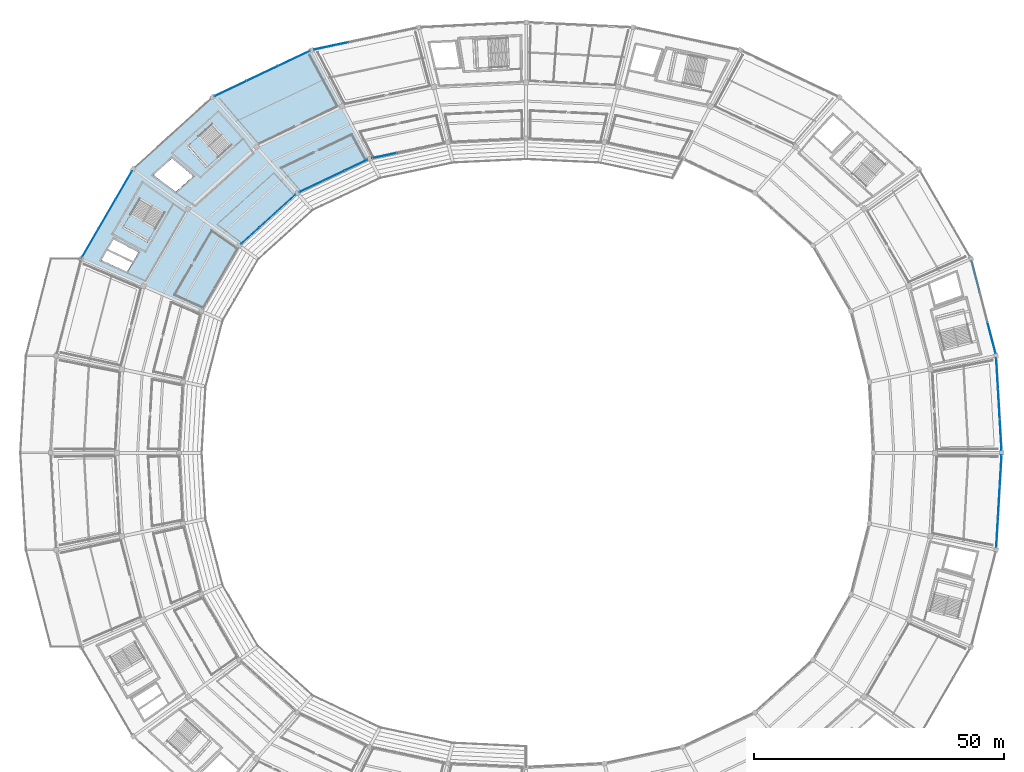
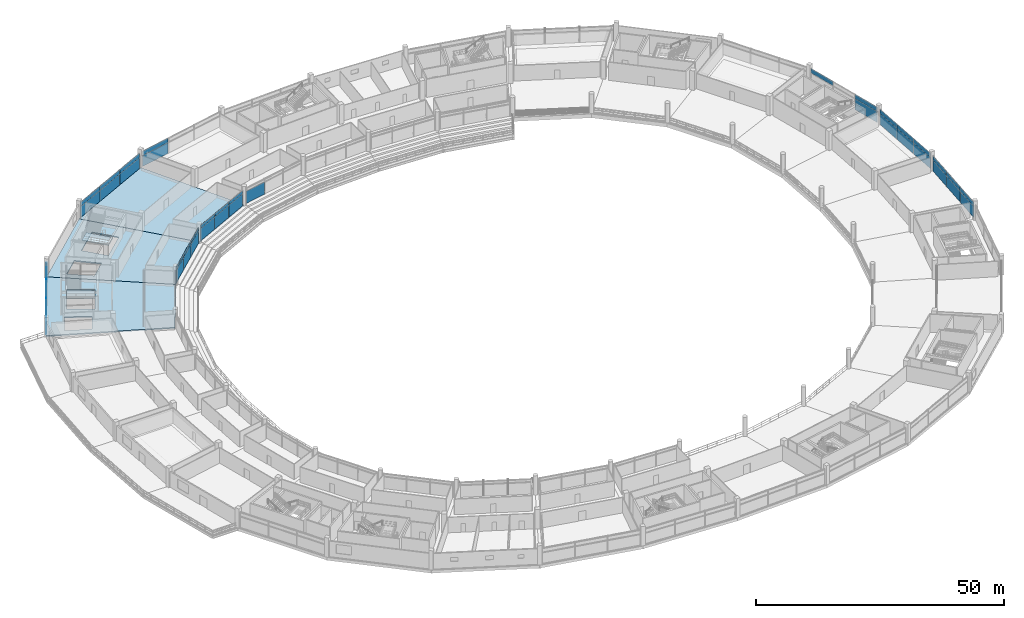
# One storey, part 125 of 171: 42 plates, 5 slabs, 11 elements without a shape of their own.
"""IFC4 building model written with IfcOpenShell, lengths in metres."""

from ifc_helpers import new_model, si_unit, direction, frame, origin, origin_2d, place, context, subcontext, project, spatial, polyline, rectangle, outline, extrude, material, layer, layer_set, type_object, element, aggregate, save


model = new_model("IFC4")

# Units and contexts
model_context = context("Model", 3, precision=1e-05, world=origin(), true_north=direction((0.0, 1.0)))
body_context = subcontext(model_context, "Body", "Model", "MODEL_VIEW")
ifc_project = project(units=[si_unit("LENGTHUNIT", "METRE"), si_unit("AREAUNIT", "SQUARE_METRE"), si_unit("VOLUMEUNIT", "CUBIC_METRE"), si_unit("PLANEANGLEUNIT", "RADIAN"), si_unit("MASSUNIT", "GRAM", prefix="KILO")], contexts=[model_context])

# Site, building, storey
site_placement = place(None, origin())
site = spatial("IfcSite", under=ifc_project, at=site_placement, CompositionType="ELEMENT")
building_placement = place(site_placement, origin())
building = spatial("IfcBuilding", under=site, at=building_placement, Name="Kazemori Nagisa Stadium", CompositionType="ELEMENT")
storey_placement = place(building_placement, frame((0.0, 0.0, 15.639892578125)))
storey = spatial("IfcBuildingStorey", under=building, at=storey_placement, Name="L03", CompositionType="ELEMENT", Elevation=15.639892578125)

# Curtain wall, plates
ifc_material_1 = material(Name="Anodised aluminium 6063-T5", Category="aluminium")
ifc_layer_1 = layer(ifc_material_1, 0.2099609375, Name="Anodised aluminium 6063-T5", Category="aluminium")
ifc_layer_set_1 = layer_set([ifc_layer_1], Name="Anodised aluminium 6063-T5")
curtain_wall_type_1 = type_object("IfcCurtainWallType", Name="CW_L03B_73", PredefinedType="USERDEFINED", material=ifc_layer_set_1)
curtain_wall_1_placement = place(storey_placement, origin())
curtain_wall_1 = element("IfcCurtainWall", 1, at=curtain_wall_1_placement, inside=storey, type_object=curtain_wall_type_1, Name="Unitised curtain wall CW-L03B-73 L03", ObjectType="UNITISED CURTAIN WALL", PredefinedType="USERDEFINED")
ifc_material_2 = material(Name="Anodised aluminium spandrel sheet", Category="aluminium")
ifc_layer_2 = layer(ifc_material_2, 0.047119140625, Name="Anodised aluminium spandrel sheet", Category="aluminium")
ifc_layer_set_2 = layer_set([ifc_layer_2], Name="Anodised aluminium spandrel sheet")
plate_type_1 = type_object("IfcPlateType", Name="CWPanel_SPN_L03B_73", PredefinedType="CURTAIN_PANEL", material=ifc_layer_set_2)
plate_1_placement = place(storey_placement, frame((75.10498046875, 151.8828125, 3.01025390625), z_axis=(0.0, 0.0, 1.0), x_axis=(-0.741350875443, -0.671117634607, 0.0)))
plate_1 = element("IfcPlate", 2, at=plate_1_placement, type_object=plate_type_1, Name="Curtain wall spandrel panel CW-L03B-73-S1", PredefinedType="CURTAIN_PANEL", context=body_context, shape_type="SweptSolid", body=[
    extrude(rectangle(XDim=4.83740234375, YDim=0.047119140625, at=origin_2d()), origin(), (0.0, 0.0, 1.0), 0.800048828125),
])
plate_2_placement = place(storey_placement, frame((71.5009765625, 148.6201171875, 3.01025390625), z_axis=(0.0, 0.0, 1.0), x_axis=(-0.741350875443, -0.671117634607, 0.0)))
plate_2 = element("IfcPlate", 3, at=plate_2_placement, type_object=plate_type_1, Name="Curtain wall spandrel panel CW-L03B-73-S2", PredefinedType="CURTAIN_PANEL", context=body_context, shape_type="SweptSolid", body=[
    extrude(rectangle(XDim=4.83740234375, YDim=0.047119140625, at=origin_2d()), origin(), (0.0, 0.0, 1.0), 0.800048828125),
])
plate_3_placement = place(storey_placement, frame((67.89697265625, 145.357666015625, 3.01025390625), z_axis=(0.0, 0.0, 1.0), x_axis=(-0.741350875443, -0.671117634607, 0.0)))
plate_3 = element("IfcPlate", 4, at=plate_3_placement, type_object=plate_type_1, Name="Curtain wall spandrel panel CW-L03B-73-S3", PredefinedType="CURTAIN_PANEL", context=body_context, shape_type="SweptSolid", body=[
    extrude(rectangle(XDim=4.83740234375, YDim=0.047119140625, at=origin_2d()), origin(), (0.0, 0.0, 1.0), 0.800048828125),
])

ifc_layer_3 = layer(ifc_material_1, 0.2099609375, Name="Anodised aluminium 6063-T5", Category="aluminium")
ifc_layer_set_3 = layer_set([ifc_layer_3], Name="Anodised aluminium 6063-T5")
curtain_wall_type_2 = type_object("IfcCurtainWallType", Name="CW_L03B_75", PredefinedType="USERDEFINED", material=ifc_layer_set_3)
curtain_wall_2_placement = place(storey_placement, origin())
curtain_wall_2 = element("IfcCurtainWall", 5, at=curtain_wall_2_placement, inside=storey, type_object=curtain_wall_type_2, Name="Unitised curtain wall CW-L03B-75 L03", ObjectType="UNITISED CURTAIN WALL", PredefinedType="USERDEFINED")
ifc_layer_4 = layer(ifc_material_2, 0.047119140625, Name="Anodised aluminium spandrel sheet", Category="aluminium")
ifc_layer_set_4 = layer_set([ifc_layer_4], Name="Anodised aluminium spandrel sheet")
plate_type_2 = type_object("IfcPlateType", Name="CWPanel_SPN_L03B_75", PredefinedType="CURTAIN_PANEL", material=ifc_layer_set_4)
plate_4_placement = place(storey_placement, frame((89.022216796875, 159.44140625, 3.01025390625), z_axis=(0.0, 0.0, 1.0), x_axis=(-0.903215892654, -0.429186499388, 0.0)))
plate_4 = element("IfcPlate", 6, at=plate_4_placement, type_object=plate_type_2, Name="Curtain wall spandrel panel CW-L03B-75-S1", PredefinedType="CURTAIN_PANEL", context=body_context, shape_type="SweptSolid", body=[
    extrude(rectangle(XDim=4.95166015625, YDim=0.047119140625, at=origin_2d()), origin(), (0.0, 0.0, 1.0), 0.800048828125),
])
plate_5_placement = place(storey_placement, frame((84.528076171875, 157.305908203125, 3.01025390625), z_axis=(0.0, 0.0, 1.0), x_axis=(-0.903215892654, -0.429186499388, 0.0)))
plate_5 = element("IfcPlate", 7, at=plate_5_placement, type_object=plate_type_2, Name="Curtain wall spandrel panel CW-L03B-75-S2", PredefinedType="CURTAIN_PANEL", context=body_context, shape_type="SweptSolid", body=[
    extrude(rectangle(XDim=4.95166015625, YDim=0.047119140625, at=origin_2d()), origin(), (0.0, 0.0, 1.0), 0.800048828125),
])
plate_6_placement = place(storey_placement, frame((80.03369140625, 155.17041015625, 3.01025390625), z_axis=(0.0, 0.0, 1.0), x_axis=(-0.903215892654, -0.429186499388, 0.0)))
plate_6 = element("IfcPlate", 8, at=plate_6_placement, type_object=plate_type_2, Name="Curtain wall spandrel panel CW-L03B-75-S3", PredefinedType="CURTAIN_PANEL", context=body_context, shape_type="SweptSolid", body=[
    extrude(rectangle(XDim=4.95166015625, YDim=0.047119140625, at=origin_2d()), origin(), (0.0, 0.0, 1.0), 0.800048828125),
])

# Curtain wall, plate
ifc_layer_5 = layer(ifc_material_1, 0.2099609375, Name="Anodised aluminium 6063-T5", Category="aluminium")
ifc_layer_set_5 = layer_set([ifc_layer_5], Name="Anodised aluminium 6063-T5")
curtain_wall_type_3 = type_object("IfcCurtainWallType", Name="CW_L03R3_105", PredefinedType="USERDEFINED", material=ifc_layer_set_5)
curtain_wall_3_placement = place(storey_placement, origin())
curtain_wall_3 = element("IfcCurtainWall", 9, at=curtain_wall_3_placement, inside=storey, type_object=curtain_wall_type_3, Name="Unitised curtain wall CW-L03R3-105 L03", ObjectType="UNITISED CURTAIN WALL", PredefinedType="USERDEFINED")
ifc_layer_6 = layer(ifc_material_2, 0.050048828125, Name="Anodised aluminium spandrel sheet", Category="aluminium")
ifc_layer_set_6 = layer_set([ifc_layer_6], Name="Anodised aluminium spandrel sheet")
plate_type_3 = type_object("IfcPlateType", Name="CWPanel_SPN_L03R3_105", PredefinedType="CURTAIN_PANEL", material=ifc_layer_set_6)
plate_7_placement = place(storey_placement, frame((84.06787109375, 183.283447265625, 2.705078125), z_axis=(0.0, 0.0, 1.0), x_axis=(-0.978344955407, -0.206981033502, 0.0)))
plate_7 = element("IfcPlate", 10, at=plate_7_placement, type_object=plate_type_3, Name="Curtain wall spandrel panel CW-L03R3-105-S3", PredefinedType="CURTAIN_PANEL", context=body_context, shape_type="SweptSolid", body=[
    extrude(rectangle(XDim=6.942626953125, YDim=0.050048828125, at=origin_2d()), origin(), (0.0, 0.0, 1.0), 1.10498046875),
])

# Curtain wall, plates
curtain_wall_4_placement = place(storey_placement, origin())
curtain_wall_4 = element("IfcCurtainWall", 11, at=curtain_wall_4_placement, inside=storey, type_object=curtain_wall_type_3, Name="Unitised curtain wall CW-L03R3-105 L03", ObjectType="UNITISED CURTAIN WALL", PredefinedType="USERDEFINED")
plate_8_placement = place(storey_placement, frame((76.6103515625, 180.7607421875, 2.705078125), z_axis=(0.0, 0.0, 1.0), x_axis=(-0.903215892654, -0.429186499388, 0.0)))
plate_8 = element("IfcPlate", 12, at=plate_8_placement, type_object=plate_type_3, Name="Curtain wall spandrel panel CW-L03R3-105-S1", PredefinedType="CURTAIN_PANEL", context=body_context, shape_type="SweptSolid", body=[
    extrude(rectangle(XDim=6.964111328125, YDim=0.050048828125, at=origin_2d()), origin(), (0.0, 0.0, 1.0), 1.10498046875),
])
plate_9_placement = place(storey_placement, frame((70.298583984375, 177.76171875, 2.705078125), z_axis=(0.0, 0.0, 1.0), x_axis=(-0.903215892654, -0.429186499388, 0.0)))
plate_9 = element("IfcPlate", 13, at=plate_9_placement, type_object=plate_type_3, Name="Curtain wall spandrel panel CW-L03R3-105-S2", PredefinedType="CURTAIN_PANEL", context=body_context, shape_type="SweptSolid", body=[
    extrude(rectangle(XDim=6.964111328125, YDim=0.050048828125, at=origin_2d()), origin(), (0.0, 0.0, 1.0), 1.10498046875),
])
plate_10_placement = place(storey_placement, frame((63.98681640625, 174.762451171875, 2.705078125), z_axis=(0.0, 0.0, 1.0), x_axis=(-0.903215892654, -0.429186499388, 0.0)))
plate_10 = element("IfcPlate", 14, at=plate_10_placement, type_object=plate_type_3, Name="Curtain wall spandrel panel CW-L03R3-105-S3", PredefinedType="CURTAIN_PANEL", context=body_context, shape_type="SweptSolid", body=[
    extrude(rectangle(XDim=6.964111328125, YDim=0.050048828125, at=origin_2d()), origin(), (0.0, 0.0, 1.0), 1.10498046875),
])

ifc_layer_7 = layer(ifc_material_1, 0.2099609375, Name="Anodised aluminium 6063-T5", Category="aluminium")
ifc_layer_set_7 = layer_set([ifc_layer_7], Name="Anodised aluminium 6063-T5")
curtain_wall_type_4 = type_object("IfcCurtainWallType", Name="CW_L03R3_93", PredefinedType="USERDEFINED", material=ifc_layer_set_7)
curtain_wall_5_placement = place(storey_placement, origin())
curtain_wall_5 = element("IfcCurtainWall", 15, at=curtain_wall_5_placement, inside=storey, type_object=curtain_wall_type_4, Name="Unitised curtain wall CW-L03R3-93 L03", ObjectType="UNITISED CURTAIN WALL", PredefinedType="USERDEFINED")
ifc_layer_8 = layer(ifc_material_2, 0.050048828125, Name="Anodised aluminium spandrel sheet", Category="aluminium")
ifc_layer_set_8 = layer_set([ifc_layer_8], Name="Anodised aluminium spandrel sheet")
plate_type_4 = type_object("IfcPlateType", Name="CWPanel_SPN_L03R3_93", PredefinedType="CURTAIN_PANEL", material=ifc_layer_set_8)
plate_11_placement = place(storey_placement, frame((217.795166015625, 105.549072265625, 2.705078125), z_axis=(0.0, 0.0, 1.0), x_axis=(-0.057601670941, 0.998339645364, 0.0)))
plate_11 = element("IfcPlate", 16, at=plate_11_placement, type_object=plate_type_4, Name="Curtain wall spandrel panel CW-L03R3-93-S1", PredefinedType="CURTAIN_PANEL", context=body_context, shape_type="SweptSolid", body=[
    extrude(rectangle(XDim=6.135986328125, YDim=0.050048828125, at=origin_2d()), origin(), (0.0, 0.0, 1.0), 1.10498046875),
])
plate_12_placement = place(storey_placement, frame((217.4404296875, 111.69873046875, 2.705078125), z_axis=(0.0, 0.0, 1.0), x_axis=(-0.057601670941, 0.998339645364, 0.0)))
plate_12 = element("IfcPlate", 17, at=plate_12_placement, type_object=plate_type_4, Name="Curtain wall spandrel panel CW-L03R3-93-S2", PredefinedType="CURTAIN_PANEL", context=body_context, shape_type="SweptSolid", body=[
    extrude(rectangle(XDim=6.135986328125, YDim=0.050048828125, at=origin_2d()), origin(), (0.0, 0.0, 1.0), 1.10498046875),
])
plate_13_placement = place(storey_placement, frame((217.085693359375, 117.8486328125, 2.705078125), z_axis=(0.0, 0.0, 1.0), x_axis=(-0.057601670941, 0.998339645364, 0.0)))
plate_13 = element("IfcPlate", 18, at=plate_13_placement, type_object=plate_type_4, Name="Curtain wall spandrel panel CW-L03R3-93-S3", PredefinedType="CURTAIN_PANEL", context=body_context, shape_type="SweptSolid", body=[
    extrude(rectangle(XDim=6.135986328125, YDim=0.050048828125, at=origin_2d()), origin(), (0.0, 0.0, 1.0), 1.10498046875),
])

curtain_wall_6_placement = place(storey_placement, origin())
curtain_wall_6 = element("IfcCurtainWall", 19, at=curtain_wall_6_placement, inside=storey, type_object=curtain_wall_type_4, Name="Unitised curtain wall CW-L03R3-93 L03", ObjectType="UNITISED CURTAIN WALL", PredefinedType="USERDEFINED")
plate_14_placement = place(storey_placement, frame((217.085693359375, 86.1513671875, 2.705078125), z_axis=(0.0, 0.0, 1.0), x_axis=(0.057601670941, 0.998339645364, 0.0)))
plate_14 = element("IfcPlate", 20, at=plate_14_placement, type_object=plate_type_4, Name="Curtain wall spandrel panel CW-L03R3-93-S1", PredefinedType="CURTAIN_PANEL", context=body_context, shape_type="SweptSolid", body=[
    extrude(rectangle(XDim=6.135986328125, YDim=0.050048828125, at=origin_2d()), origin(), (0.0, 0.0, 1.0), 1.10498046875),
])
plate_15_placement = place(storey_placement, frame((217.4404296875, 92.30126953125, 2.705078125), z_axis=(0.0, 0.0, 1.0), x_axis=(0.057601670941, 0.998339645364, 0.0)))
plate_15 = element("IfcPlate", 21, at=plate_15_placement, type_object=plate_type_4, Name="Curtain wall spandrel panel CW-L03R3-93-S2", PredefinedType="CURTAIN_PANEL", context=body_context, shape_type="SweptSolid", body=[
    extrude(rectangle(XDim=6.135986328125, YDim=0.050048828125, at=origin_2d()), origin(), (0.0, 0.0, 1.0), 1.10498046875),
])
plate_16_placement = place(storey_placement, frame((217.795166015625, 98.450927734375, 2.705078125), z_axis=(0.0, 0.0, 1.0), x_axis=(0.057601670941, 0.998339645364, 0.0)))
plate_16 = element("IfcPlate", 22, at=plate_16_placement, type_object=plate_type_4, Name="Curtain wall spandrel panel CW-L03R3-93-S3", PredefinedType="CURTAIN_PANEL", context=body_context, shape_type="SweptSolid", body=[
    extrude(rectangle(XDim=6.135986328125, YDim=0.050048828125, at=origin_2d()), origin(), (0.0, 0.0, 1.0), 1.10498046875),
])

ifc_layer_9 = layer(ifc_material_1, 0.2099609375, Name="Anodised aluminium 6063-T5", Category="aluminium")
ifc_layer_set_9 = layer_set([ifc_layer_9], Name="Anodised aluminium 6063-T5")
curtain_wall_type_5 = type_object("IfcCurtainWallType", Name="CW_L03R3_96", PredefinedType="USERDEFINED", material=ifc_layer_set_9)
curtain_wall_7_placement = place(storey_placement, origin())
curtain_wall_7 = element("IfcCurtainWall", 23, at=curtain_wall_7_placement, inside=storey, type_object=curtain_wall_type_5, Name="Unitised curtain wall CW-L03R3-96 L03", ObjectType="UNITISED CURTAIN WALL", PredefinedType="USERDEFINED")
ifc_layer_10 = layer(ifc_material_2, 0.050048828125, Name="Anodised aluminium spandrel sheet", Category="aluminium")
ifc_layer_set_10 = layer_set([ifc_layer_10], Name="Anodised aluminium spandrel sheet")
plate_type_5 = type_object("IfcPlateType", Name="CWPanel_SPN_L03R3_96", PredefinedType="CURTAIN_PANEL", material=ifc_layer_set_10)
plate_17_placement = place(storey_placement, frame((215.968994140625, 124.9296875, 2.705078125), z_axis=(0.0, 0.0, 1.0), x_axis=(-0.249964642418, 0.968254965152, 0.0)))
plate_17 = element("IfcPlate", 24, at=plate_17_placement, type_object=plate_type_5, Name="Curtain wall spandrel panel CW-L03R3-96-S1", PredefinedType="CURTAIN_PANEL", context=body_context, shape_type="SweptSolid", body=[
    extrude(rectangle(XDim=6.3212890625, YDim=0.050048828125, at=origin_2d()), origin(), (0.0, 0.0, 1.0), 1.10498046875),
])
plate_18_placement = place(storey_placement, frame((212.796630859375, 137.217529296875, 2.705078125), z_axis=(0.0, 0.0, 1.0), x_axis=(-0.249964642418, 0.968254965152, 0.0)))
plate_18 = element("IfcPlate", 25, at=plate_18_placement, type_object=plate_type_5, Name="Curtain wall spandrel panel CW-L03R3-96-S3", PredefinedType="CURTAIN_PANEL", context=body_context, shape_type="SweptSolid", body=[
    extrude(rectangle(XDim=6.3212890625, YDim=0.050048828125, at=origin_2d()), origin(), (0.0, 0.0, 1.0), 1.10498046875),
])

ifc_layer_11 = layer(ifc_material_1, 0.2099609375, Name="Anodised aluminium 6063-T5", Category="aluminium")
ifc_layer_set_11 = layer_set([ifc_layer_11], Name="Anodised aluminium 6063-T5")
curtain_wall_type_6 = type_object("IfcCurtainWallType", Name="CW_L03R3_99", PredefinedType="USERDEFINED", material=ifc_layer_set_11)
curtain_wall_8_placement = place(storey_placement, origin())
curtain_wall_8 = element("IfcCurtainWall", 26, at=curtain_wall_8_placement, inside=storey, type_object=curtain_wall_type_6, Name="Unitised curtain wall CW-L03R3-99 L03", ObjectType="UNITISED CURTAIN WALL", PredefinedType="USERDEFINED")
ifc_layer_12 = layer(ifc_material_2, 0.050048828125, Name="Anodised aluminium spandrel sheet", Category="aluminium")
ifc_layer_set_12 = layer_set([ifc_layer_12], Name="Anodised aluminium spandrel sheet")
plate_type_6 = type_object("IfcPlateType", Name="CWPanel_SPN_L03R3_99", PredefinedType="CURTAIN_PANEL", material=ifc_layer_set_12)
plate_19_placement = place(storey_placement, frame((42.6142578125, 155.4072265625, 2.705078125), z_axis=(0.0, 0.0, 1.0), x_axis=(-0.501611590054, -0.865092950337, 0.0)))
plate_19 = element("IfcPlate", 27, at=plate_19_placement, type_object=plate_type_6, Name="Curtain wall spandrel panel CW-L03R3-99-S1", PredefinedType="CURTAIN_PANEL", context=body_context, shape_type="SweptSolid", body=[
    extrude(rectangle(XDim=6.563232421875, YDim=0.050048828125, at=origin_2d()), origin(), (0.0, 0.0, 1.0), 1.10498046875),
])
plate_20_placement = place(storey_placement, frame((39.309814453125, 149.70849609375, 2.705078125), z_axis=(0.0, 0.0, 1.0), x_axis=(-0.501611590054, -0.865092950337, 0.0)))
plate_20 = element("IfcPlate", 28, at=plate_20_placement, type_object=plate_type_6, Name="Curtain wall spandrel panel CW-L03R3-99-S2", PredefinedType="CURTAIN_PANEL", context=body_context, shape_type="SweptSolid", body=[
    extrude(rectangle(XDim=6.563232421875, YDim=0.050048828125, at=origin_2d()), origin(), (0.0, 0.0, 1.0), 1.10498046875),
])
plate_21_placement = place(storey_placement, frame((36.005615234375, 144.009765625, 2.705078125), z_axis=(0.0, 0.0, 1.0), x_axis=(-0.501611590054, -0.865092950337, 0.0)))
plate_21 = element("IfcPlate", 29, at=plate_21_placement, type_object=plate_type_6, Name="Curtain wall spandrel panel CW-L03R3-99-S3", PredefinedType="CURTAIN_PANEL", context=body_context, shape_type="SweptSolid", body=[
    extrude(rectangle(XDim=6.563232421875, YDim=0.050048828125, at=origin_2d()), origin(), (0.0, 0.0, 1.0), 1.10498046875),
])

# Plate
ifc_material_3 = material(Name="Low-e laminated double glazing", Category="glass")
ifc_layer_13 = layer(ifc_material_3, 0.033935546875, Name="Low-e laminated double glazing", Category="glass")
ifc_layer_set_13 = layer_set([ifc_layer_13], Name="Low-e laminated double glazing")
plate_type_7 = type_object("IfcPlateType", Name="CWPanel_VIS_L03B_73", PredefinedType="CURTAIN_PANEL", material=ifc_layer_set_13)
plate_22_placement = place(storey_placement, frame((75.10498046875, 151.8828125, 0.0), z_axis=(0.0, 0.0, 1.0), x_axis=(-0.741350875443, -0.671117634607, 0.0)))
plate_22 = element("IfcPlate", 30, at=plate_22_placement, type_object=plate_type_7, Name="Curtain wall vision panel CW-L03B-73-V1", PredefinedType="CURTAIN_PANEL", context=body_context, shape_type="SweptSolid", body=[
    extrude(rectangle(XDim=4.83740234375, YDim=0.033935546875, at=origin_2d()), origin(), (0.0, 0.0, 1.0), 3.010009765625),
])

plate_23_placement = place(storey_placement, frame((71.5009765625, 148.6201171875, 0.0), z_axis=(0.0, 0.0, 1.0), x_axis=(-0.741350875443, -0.671117634607, 0.0)))
plate_23 = element("IfcPlate", 31, at=plate_23_placement, type_object=plate_type_7, Name="Curtain wall vision panel CW-L03B-73-V2", PredefinedType="CURTAIN_PANEL", context=body_context, shape_type="SweptSolid", body=[
    extrude(rectangle(XDim=4.83740234375, YDim=0.033935546875, at=origin_2d()), origin(), (0.0, 0.0, 1.0), 3.010009765625),
])

plate_24_placement = place(storey_placement, frame((67.89697265625, 145.357666015625, 0.0), z_axis=(0.0, 0.0, 1.0), x_axis=(-0.741350875443, -0.671117634607, 0.0)))
plate_24 = element("IfcPlate", 32, at=plate_24_placement, type_object=plate_type_7, Name="Curtain wall vision panel CW-L03B-73-V3", PredefinedType="CURTAIN_PANEL", context=body_context, shape_type="SweptSolid", body=[
    extrude(rectangle(XDim=4.83740234375, YDim=0.033935546875, at=origin_2d()), origin(), (0.0, 0.0, 1.0), 3.010009765625),
])

aggregate(curtain_wall_1, [plate_22, plate_1, plate_23, plate_2, plate_24, plate_3])

# Curtain wall, plate
curtain_wall_9_placement = place(storey_placement, origin())
curtain_wall_9 = element("IfcCurtainWall", 33, at=curtain_wall_9_placement, inside=storey, type_object=curtain_wall_type_2, Name="Unitised curtain wall CW-L03B-75 L03", ObjectType="UNITISED CURTAIN WALL", PredefinedType="USERDEFINED")
ifc_layer_14 = layer(ifc_material_3, 0.033935546875, Name="Low-e laminated double glazing", Category="glass")
ifc_layer_set_14 = layer_set([ifc_layer_14], Name="Low-e laminated double glazing")
plate_type_8 = type_object("IfcPlateType", Name="CWPanel_VIS_L03B_75", PredefinedType="CURTAIN_PANEL", material=ifc_layer_set_14)
plate_25_placement = place(storey_placement, frame((94.702392578125, 161.363037109375, 0.0), z_axis=(0.0, 0.0, 1.0), x_axis=(-0.978344955407, -0.206981033502, 0.0)))
plate_25 = element("IfcPlate", 34, at=plate_25_placement, type_object=plate_type_8, Name="Curtain wall vision panel CW-L03B-75-V3", PredefinedType="CURTAIN_PANEL", context=body_context, shape_type="SweptSolid", body=[
    extrude(rectangle(XDim=4.936279296875, YDim=0.033935546875, at=origin_2d()), origin(), (0.0, 0.0, 1.0), 3.010009765625),
])
aggregate(curtain_wall_9, [plate_25])

# Plate
plate_26_placement = place(storey_placement, frame((89.022216796875, 159.44140625, 0.0), z_axis=(0.0, 0.0, 1.0), x_axis=(-0.903215892654, -0.429186499388, 0.0)))
plate_26 = element("IfcPlate", 35, at=plate_26_placement, type_object=plate_type_8, Name="Curtain wall vision panel CW-L03B-75-V1", PredefinedType="CURTAIN_PANEL", context=body_context, shape_type="SweptSolid", body=[
    extrude(rectangle(XDim=4.95166015625, YDim=0.033935546875, at=origin_2d()), origin(), (0.0, 0.0, 1.0), 3.010009765625),
])

plate_27_placement = place(storey_placement, frame((84.528076171875, 157.305908203125, 0.0), z_axis=(0.0, 0.0, 1.0), x_axis=(-0.903215892654, -0.429186499388, 0.0)))
plate_27 = element("IfcPlate", 36, at=plate_27_placement, type_object=plate_type_8, Name="Curtain wall vision panel CW-L03B-75-V2", PredefinedType="CURTAIN_PANEL", context=body_context, shape_type="SweptSolid", body=[
    extrude(rectangle(XDim=4.95166015625, YDim=0.033935546875, at=origin_2d()), origin(), (0.0, 0.0, 1.0), 3.010009765625),
])

plate_28_placement = place(storey_placement, frame((80.03369140625, 155.17041015625, 0.0), z_axis=(0.0, 0.0, 1.0), x_axis=(-0.903215892654, -0.429186499388, 0.0)))
plate_28 = element("IfcPlate", 37, at=plate_28_placement, type_object=plate_type_8, Name="Curtain wall vision panel CW-L03B-75-V3", PredefinedType="CURTAIN_PANEL", context=body_context, shape_type="SweptSolid", body=[
    extrude(rectangle(XDim=4.95166015625, YDim=0.033935546875, at=origin_2d()), origin(), (0.0, 0.0, 1.0), 3.010009765625),
])

aggregate(curtain_wall_2, [plate_26, plate_4, plate_27, plate_5, plate_28, plate_6])

ifc_layer_15 = layer(ifc_material_3, 0.031982421875, Name="Low-e laminated double glazing", Category="glass")
ifc_layer_set_15 = layer_set([ifc_layer_15], Name="Low-e laminated double glazing")
plate_type_9 = type_object("IfcPlateType", Name="CWPanel_VIS_L03R3_105", PredefinedType="CURTAIN_PANEL", material=ifc_layer_set_15)
plate_29_placement = place(storey_placement, frame((84.06787109375, 183.283447265625, 0.0), z_axis=(0.0, 0.0, 1.0), x_axis=(-0.978344955407, -0.206981033502, 0.0)))
plate_29 = element("IfcPlate", 38, at=plate_29_placement, type_object=plate_type_9, Name="Curtain wall vision panel CW-L03R3-105-V3", PredefinedType="CURTAIN_PANEL", context=body_context, shape_type="SweptSolid", body=[
    extrude(rectangle(XDim=6.942626953125, YDim=0.031982421875, at=origin_2d()), origin(), (0.0, 0.0, 1.0), 2.705078125),
])

aggregate(curtain_wall_3, [plate_29, plate_7])

plate_30_placement = place(storey_placement, frame((76.6103515625, 180.7607421875, 0.0), z_axis=(0.0, 0.0, 1.0), x_axis=(-0.903215892654, -0.429186499388, 0.0)))
plate_30 = element("IfcPlate", 39, at=plate_30_placement, type_object=plate_type_9, Name="Curtain wall vision panel CW-L03R3-105-V1", PredefinedType="CURTAIN_PANEL", context=body_context, shape_type="SweptSolid", body=[
    extrude(rectangle(XDim=6.964111328125, YDim=0.031982421875, at=origin_2d()), origin(), (0.0, 0.0, 1.0), 2.705078125),
])

plate_31_placement = place(storey_placement, frame((70.298583984375, 177.76171875, 0.0), z_axis=(0.0, 0.0, 1.0), x_axis=(-0.903215892654, -0.429186499388, 0.0)))
plate_31 = element("IfcPlate", 40, at=plate_31_placement, type_object=plate_type_9, Name="Curtain wall vision panel CW-L03R3-105-V2", PredefinedType="CURTAIN_PANEL", context=body_context, shape_type="SweptSolid", body=[
    extrude(rectangle(XDim=6.964111328125, YDim=0.031982421875, at=origin_2d()), origin(), (0.0, 0.0, 1.0), 2.705078125),
])

plate_32_placement = place(storey_placement, frame((63.98681640625, 174.762451171875, 0.0), z_axis=(0.0, 0.0, 1.0), x_axis=(-0.903215892654, -0.429186499388, 0.0)))
plate_32 = element("IfcPlate", 41, at=plate_32_placement, type_object=plate_type_9, Name="Curtain wall vision panel CW-L03R3-105-V3", PredefinedType="CURTAIN_PANEL", context=body_context, shape_type="SweptSolid", body=[
    extrude(rectangle(XDim=6.964111328125, YDim=0.031982421875, at=origin_2d()), origin(), (0.0, 0.0, 1.0), 2.705078125),
])

aggregate(curtain_wall_4, [plate_30, plate_8, plate_31, plate_9, plate_32, plate_10])

ifc_layer_16 = layer(ifc_material_3, 0.031982421875, Name="Low-e laminated double glazing", Category="glass")
ifc_layer_set_16 = layer_set([ifc_layer_16], Name="Low-e laminated double glazing")
plate_type_10 = type_object("IfcPlateType", Name="CWPanel_VIS_L03R3_93", PredefinedType="CURTAIN_PANEL", material=ifc_layer_set_16)
plate_33_placement = place(storey_placement, frame((217.795166015625, 105.549072265625, 0.0), z_axis=(0.0, 0.0, 1.0), x_axis=(-0.057601670941, 0.998339645364, 0.0)))
plate_33 = element("IfcPlate", 42, at=plate_33_placement, type_object=plate_type_10, Name="Curtain wall vision panel CW-L03R3-93-V1", PredefinedType="CURTAIN_PANEL", context=body_context, shape_type="SweptSolid", body=[
    extrude(rectangle(XDim=6.135986328125, YDim=0.031982421875, at=origin_2d()), origin(), (0.0, 0.0, 1.0), 2.705078125),
])

plate_34_placement = place(storey_placement, frame((217.4404296875, 111.69873046875, 0.0), z_axis=(0.0, 0.0, 1.0), x_axis=(-0.057601670941, 0.998339645364, 0.0)))
plate_34 = element("IfcPlate", 43, at=plate_34_placement, type_object=plate_type_10, Name="Curtain wall vision panel CW-L03R3-93-V2", PredefinedType="CURTAIN_PANEL", context=body_context, shape_type="SweptSolid", body=[
    extrude(rectangle(XDim=6.135986328125, YDim=0.031982421875, at=origin_2d()), origin(), (0.0, 0.0, 1.0), 2.705078125),
])

plate_35_placement = place(storey_placement, frame((217.085693359375, 117.8486328125, 0.0), z_axis=(0.0, 0.0, 1.0), x_axis=(-0.057601670941, 0.998339645364, 0.0)))
plate_35 = element("IfcPlate", 44, at=plate_35_placement, type_object=plate_type_10, Name="Curtain wall vision panel CW-L03R3-93-V3", PredefinedType="CURTAIN_PANEL", context=body_context, shape_type="SweptSolid", body=[
    extrude(rectangle(XDim=6.135986328125, YDim=0.031982421875, at=origin_2d()), origin(), (0.0, 0.0, 1.0), 2.705078125),
])

aggregate(curtain_wall_5, [plate_33, plate_11, plate_34, plate_12, plate_35, plate_13])

plate_36_placement = place(storey_placement, frame((217.085693359375, 86.1513671875, 0.0), z_axis=(0.0, 0.0, 1.0), x_axis=(0.057601670941, 0.998339645364, 0.0)))
plate_36 = element("IfcPlate", 45, at=plate_36_placement, type_object=plate_type_10, Name="Curtain wall vision panel CW-L03R3-93-V1", PredefinedType="CURTAIN_PANEL", context=body_context, shape_type="SweptSolid", body=[
    extrude(rectangle(XDim=6.135986328125, YDim=0.031982421875, at=origin_2d()), origin(), (0.0, 0.0, 1.0), 2.705078125),
])

plate_37_placement = place(storey_placement, frame((217.4404296875, 92.30126953125, 0.0), z_axis=(0.0, 0.0, 1.0), x_axis=(0.057601670941, 0.998339645364, 0.0)))
plate_37 = element("IfcPlate", 46, at=plate_37_placement, type_object=plate_type_10, Name="Curtain wall vision panel CW-L03R3-93-V2", PredefinedType="CURTAIN_PANEL", context=body_context, shape_type="SweptSolid", body=[
    extrude(rectangle(XDim=6.135986328125, YDim=0.031982421875, at=origin_2d()), origin(), (0.0, 0.0, 1.0), 2.705078125),
])

plate_38_placement = place(storey_placement, frame((217.795166015625, 98.450927734375, 0.0), z_axis=(0.0, 0.0, 1.0), x_axis=(0.057601670941, 0.998339645364, 0.0)))
plate_38 = element("IfcPlate", 47, at=plate_38_placement, type_object=plate_type_10, Name="Curtain wall vision panel CW-L03R3-93-V3", PredefinedType="CURTAIN_PANEL", context=body_context, shape_type="SweptSolid", body=[
    extrude(rectangle(XDim=6.135986328125, YDim=0.031982421875, at=origin_2d()), origin(), (0.0, 0.0, 1.0), 2.705078125),
])

aggregate(curtain_wall_6, [plate_36, plate_14, plate_37, plate_15, plate_38, plate_16])

ifc_layer_17 = layer(ifc_material_3, 0.031982421875, Name="Low-e laminated double glazing", Category="glass")
ifc_layer_set_17 = layer_set([ifc_layer_17], Name="Low-e laminated double glazing")
plate_type_11 = type_object("IfcPlateType", Name="CWPanel_VIS_L03R3_96", PredefinedType="CURTAIN_PANEL", material=ifc_layer_set_17)
plate_39_placement = place(storey_placement, frame((215.968994140625, 124.9296875, 0.0), z_axis=(0.0, 0.0, 1.0), x_axis=(-0.249964642418, 0.968254965152, 0.0)))
plate_39 = element("IfcPlate", 48, at=plate_39_placement, type_object=plate_type_11, Name="Curtain wall vision panel CW-L03R3-96-V1", PredefinedType="CURTAIN_PANEL", context=body_context, shape_type="SweptSolid", body=[
    extrude(rectangle(XDim=6.3212890625, YDim=0.031982421875, at=origin_2d()), origin(), (0.0, 0.0, 1.0), 2.705078125),
])

aggregate(curtain_wall_7, [plate_39, plate_17, plate_18])

ifc_layer_18 = layer(ifc_material_3, 0.031982421875, Name="Low-e laminated double glazing", Category="glass")
ifc_layer_set_18 = layer_set([ifc_layer_18], Name="Low-e laminated double glazing")
plate_type_12 = type_object("IfcPlateType", Name="CWPanel_VIS_L03R3_99", PredefinedType="CURTAIN_PANEL", material=ifc_layer_set_18)
plate_40_placement = place(storey_placement, frame((42.6142578125, 155.4072265625, 0.0), z_axis=(0.0, 0.0, 1.0), x_axis=(-0.501611590054, -0.865092950337, 0.0)))
plate_40 = element("IfcPlate", 49, at=plate_40_placement, type_object=plate_type_12, Name="Curtain wall vision panel CW-L03R3-99-V1", PredefinedType="CURTAIN_PANEL", context=body_context, shape_type="SweptSolid", body=[
    extrude(rectangle(XDim=6.563232421875, YDim=0.031982421875, at=origin_2d()), origin(), (0.0, 0.0, 1.0), 2.705078125),
])

plate_41_placement = place(storey_placement, frame((39.309814453125, 149.70849609375, 0.0), z_axis=(0.0, 0.0, 1.0), x_axis=(-0.501611590054, -0.865092950337, 0.0)))
plate_41 = element("IfcPlate", 50, at=plate_41_placement, type_object=plate_type_12, Name="Curtain wall vision panel CW-L03R3-99-V2", PredefinedType="CURTAIN_PANEL", context=body_context, shape_type="SweptSolid", body=[
    extrude(rectangle(XDim=6.563232421875, YDim=0.031982421875, at=origin_2d()), origin(), (0.0, 0.0, 1.0), 2.705078125),
])

plate_42_placement = place(storey_placement, frame((36.005615234375, 144.009765625, 0.0), z_axis=(0.0, 0.0, 1.0), x_axis=(-0.501611590054, -0.865092950337, 0.0)))
plate_42 = element("IfcPlate", 51, at=plate_42_placement, type_object=plate_type_12, Name="Curtain wall vision panel CW-L03R3-99-V3", PredefinedType="CURTAIN_PANEL", context=body_context, shape_type="SweptSolid", body=[
    extrude(rectangle(XDim=6.563232421875, YDim=0.031982421875, at=origin_2d()), origin(), (0.0, 0.0, 1.0), 2.705078125),
])

aggregate(curtain_wall_8, [plate_40, plate_19, plate_41, plate_20, plate_42, plate_21])

# Slabs
ifc_material_4 = material(Name="Concrete C36/45 (Fc36)", Category="concrete")
ifc_layer_19 = layer(ifc_material_4, 0.260009765625, Name="Concrete C36/45 (Fc36)", Category="concrete")
ifc_layer_set_19 = layer_set([ifc_layer_19], Name="Concrete C36/45 (Fc36)")
slab_type_1 = type_object("IfcSlabType", Name="Slab_SL-CLUB-260", PredefinedType="FLOOR", material=ifc_layer_set_19)
slab_1_placement = place(storey_placement, frame((0.0, 0.0, -0.260009765625)))
element("IfcSlab", 52, at=slab_1_placement, inside=storey, type_object=slab_type_1, Name="Concourse floor slab L03 bay 10", PredefinedType="FLOOR", context=body_context, shape_type="SweptSolid", body=[
    extrude(outline(polyline([(91.75244140625, 160.739013671875), (77.303466796875, 153.873046875), (60.402099609375, 173.05908203125), (80.1953125, 182.46435546875), (91.75244140625, 160.739013671875)])), origin(), (0.0, 0.0, 1.0), 0.260009765625),
])
slab_2_placement = place(storey_placement, frame((0.0, 0.0, -0.260009765625)))
element("IfcSlab", 53, at=slab_2_placement, inside=storey, type_object=slab_type_1, Name="Concourse floor slab L03 bay 11", PredefinedType="FLOOR", context=body_context, shape_type="SweptSolid", body=[
    extrude(outline(polyline([(77.303466796875, 153.873046875), (65.698486328125, 143.367431640625), (44.504638671875, 158.667724609375), (60.402099609375, 173.05908203125), (77.303466796875, 153.873046875)]), holes=[polyline([(64.12109375, 163.4794921875), (59.072509765625, 158.9091796875), (55.247314453125, 163.134765625), (60.2958984375, 167.705078125), (64.12109375, 163.4794921875)]), polyline([(56.495361328125, 157.260498046875), (53.046142578125, 154.13818359375), (48.557861328125, 157.4833984375), (52.228271484375, 160.80615234375), (56.495361328125, 157.260498046875)])]), origin(), (0.0, 0.0, 1.0), 0.260009765625),
])
slab_3_placement = place(storey_placement, frame((0.0, 0.0, -0.260009765625)))
element("IfcSlab", 54, at=slab_3_placement, inside=storey, type_object=slab_type_1, Name="Concourse floor slab L03 bay 12", PredefinedType="FLOOR", context=body_context, shape_type="SweptSolid", body=[
    extrude(outline(polyline([(65.698486328125, 143.367431640625), (58.114013671875, 130.287109375), (34.114990234375, 140.74951171875), (44.504638671875, 158.667724609375), (65.698486328125, 143.367431640625)]), holes=[polyline([(50.736083984375, 149.940673828125), (47.320068359375, 144.04931640625), (42.38916015625, 146.908447265625), (45.80517578125, 152.7998046875), (50.736083984375, 149.940673828125)]), polyline([(45.5595703125, 142.051025390625), (43.305419921875, 138.163330078125), (38.1923828125, 140.483642578125), (40.591064453125, 144.62060546875), (45.5595703125, 142.051025390625)])]), origin(), (0.0, 0.0, 1.0), 0.260009765625),
])

# Stair, slab
stair_type = type_object("IfcStairType", Name="Stair_CORE_28", PredefinedType="TWO_STRAIGHT_RUN_STAIR", material=ifc_material_4)
stair_1_placement = place(storey_placement, origin())
stair_1 = element("IfcStair", 55, at=stair_1_placement, inside=storey, type_object=stair_type, Name="Exit stair ST02 L03", PredefinedType="TWO_STRAIGHT_RUN_STAIR")
ifc_layer_20 = layer(ifc_material_4, 0.199951171875, Name="Concrete C36/45 (Fc36)", Category="concrete")
ifc_layer_set_20 = layer_set([ifc_layer_20], Name="Concrete C36/45 (Fc36)")
slab_type_2 = type_object("IfcSlabType", Name="Slab_SL-LND-200", PredefinedType="LANDING", material=ifc_layer_set_20)
slab_4_placement = place(storey_placement, frame((0.0, 0.0, 2.18017578125)))
slab_4 = element("IfcSlab", 56, at=slab_4_placement, type_object=slab_type_2, Name="Exit stair ST02 L03 mid-landing", PredefinedType="LANDING", context=body_context, shape_type="SweptSolid", body=[
    extrude(outline(polyline([(61.396728515625, 161.01318359375), (59.283935546875, 159.100341796875), (55.45849609375, 163.326171875), (57.5712890625, 165.23876953125), (61.396728515625, 161.01318359375)])), origin(), (0.0, 0.0, 1.0), 0.199951171875),
])
aggregate(stair_1, [slab_4])

stair_2_placement = place(storey_placement, origin())
stair_2 = element("IfcStair", 57, at=stair_2_placement, inside=storey, type_object=stair_type, Name="Exit stair ST08 L03", PredefinedType="TWO_STRAIGHT_RUN_STAIR")
slab_5_placement = place(storey_placement, frame((0.0, 0.0, 2.18017578125)))
slab_5 = element("IfcSlab", 58, at=slab_5_placement, type_object=slab_type_2, Name="Exit stair ST08 L03 mid-landing", PredefinedType="LANDING", context=body_context, shape_type="SweptSolid", body=[
    extrude(outline(polyline([(48.892578125, 146.761474609375), (47.463134765625, 144.2958984375), (42.531982421875, 147.155029296875), (43.961669921875, 149.62060546875), (48.892578125, 146.761474609375)])), origin(), (0.0, 0.0, 1.0), 0.199951171875),
])
aggregate(stair_2, [slab_5])

save(model, "model.ifc")
